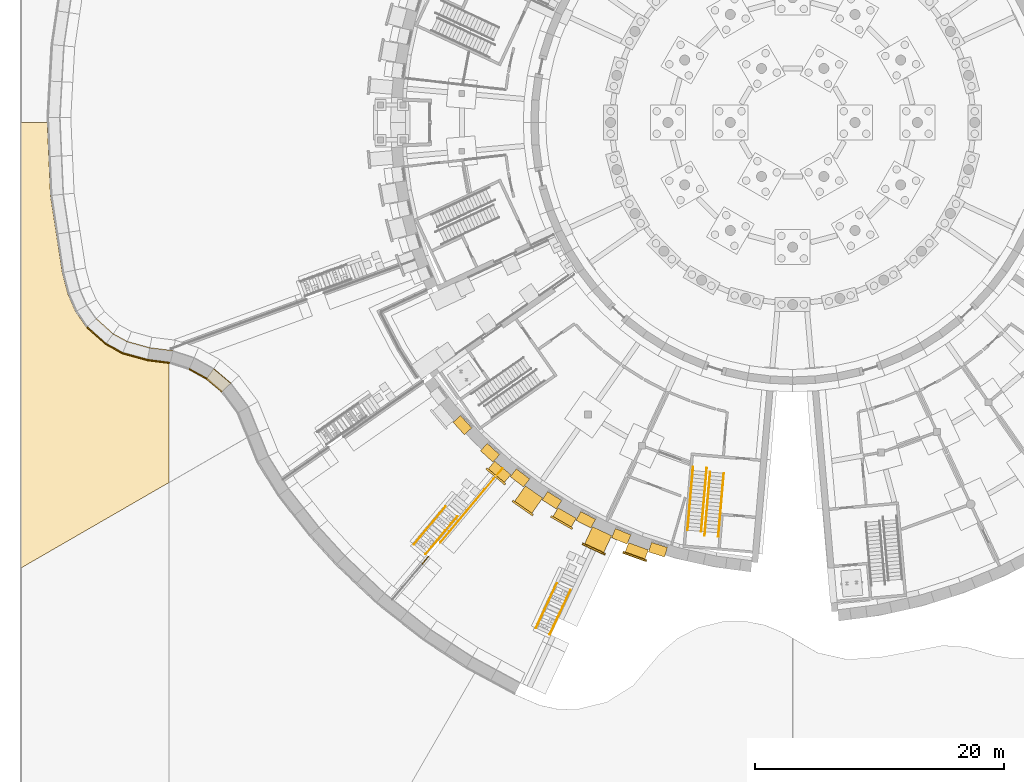
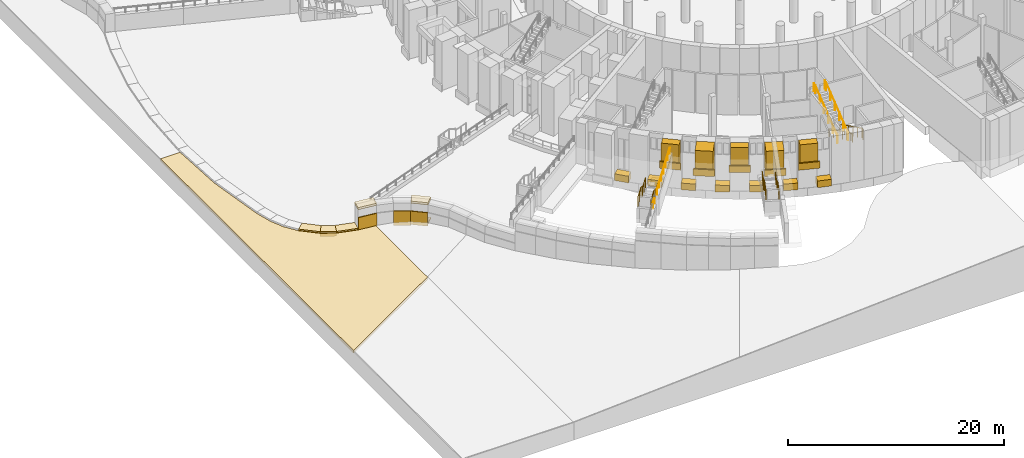
# One storey, part 53 of 65: 30 coverings, 10 railings.
"""IFC4 building model written with IfcOpenShell, lengths in metres."""

from ifc_helpers import new_model, si_unit, direction, frame, origin, origin_2d, place, context, subcontext, project, spatial, polyline, rectangle, circle, outline, extrude, material, layer, layer_set, type_object, element, save


model = new_model("IFC4")

# Units and contexts
model_context = context("Model", 3, precision=1e-05, world=origin(), true_north=direction((0.0, 1.0)))
body_context = subcontext(model_context, "Body", "Model", "MODEL_VIEW")
ifc_project = project(units=[si_unit("LENGTHUNIT", "METRE"), si_unit("AREAUNIT", "SQUARE_METRE"), si_unit("VOLUMEUNIT", "CUBIC_METRE"), si_unit("PLANEANGLEUNIT", "RADIAN"), si_unit("MASSUNIT", "GRAM", prefix="KILO")], contexts=[model_context])

# Site, building, storey
site_placement = place(None, origin())
site = spatial("IfcSite", under=ifc_project, at=site_placement, CompositionType="ELEMENT")
building_placement = place(site_placement, origin())
building = spatial("IfcBuilding", under=site, at=building_placement, Name="Volute Hill Aquarium", CompositionType="ELEMENT")
storey_placement = place(building_placement, frame((0.0, 0.0, -5.5)))
storey = spatial("IfcBuildingStorey", under=building, at=storey_placement, Name="L00", CompositionType="ELEMENT", Elevation=-5.5)

# Coverings
ifc_material_1 = material(Name="Blue limestone", Category="masonry")
covering_type_1 = type_object("IfcCoveringType", Name="Bluestone plinth block 275x750", PredefinedType="CLADDING", material=ifc_material_1)
for number, where, z_axis, x_axis, name in (
    (1, (-26.47998046875, -24.264404296875, 0.0), (0.0, 0.0, 1.0), (0.675588133266, -0.737279237596, 0.0), "Bluestone plinth BPN S2 L00 2"),
    (2, (-24.264404296875, -26.47998046875, 0.0), (0.0, 0.0, 1.0), (0.737279237596, -0.675588133266, 0.0), "Bluestone plinth BPN S2 L00 3"),
    (3, (-21.8642578125, -28.494140625, 0.0), (0.0, 0.0, 1.0), (0.793352901483, -0.608762000874, 0.0), "Bluestone plinth BPN S2 L00 4"),
    (4, (-19.297607421875, -30.291259765625, 0.0), (0.0, 0.0, 1.0), (0.843398654513, -0.537288292787, 0.0), "Bluestone plinth BPN S2 L00 5"),
    (5, (-16.584228515625, -31.85791015625, 0.0), (0.0, 0.0, 1.0), (0.887010398312, -0.461749448604, 0.0), "Bluestone plinth BPN S2 L00 6"),
    (6, (-13.744384765625, -33.18212890625, 0.0), (0.0, 0.0, 1.0), (0.923881228242, -0.382679338483, 0.0), "Bluestone plinth BPN S2 L00 7"),
    (7, (-10.800048828125, -34.253662109375, 0.0), (0.0, 0.0, 1.0), (0.953719223668, -0.300698590629, 0.0), "Bluestone plinth BPN S2 L00 8"),
):
    element("IfcCovering", number, at=place(storey_placement, frame(where, z_axis=z_axis, x_axis=x_axis)), inside=storey, type_object=covering_type_1, Name=name, PredefinedType="CLADDING", context=body_context, shape_type="SweptSolid", body=[
        extrude(rectangle(XDim=1.341064453125, YDim=0.800048828125, at=origin_2d()), origin(), (0.0, 0.0, 1.0), 0.75),
    ])
ifc_material_2 = material(Name="Blue limestone", Category="masonry")
ifc_layer_1 = layer(ifc_material_2, 0.14990234375)
ifc_layer_set_1 = layer_set([ifc_layer_1], Name="Bluestone plinth plate 150x750")
covering_type_2 = type_object("IfcCoveringType", Name="Bluestone plinth plate 150x750", PredefinedType="CLADDING", material=ifc_layer_set_1)
for number, where, z_axis, x_axis, name in (
    (8, (-23.80615234375, -28.37109375, 2.75), (0.0, 0.0, 1.0), (0.766044443119, -0.642787609687, 0.0), "Bluestone plinth BP S2 L00 3"),
    (9, (-21.644287109375, -30.911376953125, 2.75), (0.0, 0.0, 1.0), (0.819152044289, -0.573576436351, 0.0), "Bluestone plinth BP S2 L00 4"),
    (10, (-18.517822265625, -32.073974609375, 2.75), (0.0, 0.0, 1.0), (0.866025403784, -0.5, 0.0), "Bluestone plinth BP S2 L00 5"),
    (11, (-15.94775390625, -34.2001953125, 2.75), (0.0, 0.0, 1.0), (0.906307787037, -0.422618261741, 0.0), "Bluestone plinth BP S2 L00 6"),
    (12, (-12.6669921875, -34.80224609375, 2.75), (0.0, 0.0, 1.0), (0.939692620786, -0.342020143326, 0.0), "Bluestone plinth BP S2 L00 7"),
):
    element("IfcCovering", number, at=place(storey_placement, frame(where, z_axis=z_axis, x_axis=x_axis)), inside=storey, type_object=covering_type_2, Name=name, PredefinedType="CLADDING", context=body_context, shape_type="SweptSolid", body=[
        extrude(rectangle(XDim=1.98876953125, YDim=0.14990234375, at=origin_2d()), origin(), (0.0, 0.0, 1.0), 0.75),
    ])

# Railings
ifc_material_3 = material(Name="Stainless steel 1.4301", Category="steel")
railing_type_1 = type_object("IfcRailingType", Name="Guard 1100 stainless", PredefinedType="GUARDRAIL", material=ifc_material_3)
railing_1_placement = place(storey_placement, frame((-5.522216796875, -28.125732421875, 0.161865234375)))
element("IfcRailing", 13, at=railing_1_placement, inside=storey, type_object=railing_type_1, Name="gd/S2-B/L00/1", PredefinedType="GUARDRAIL", context=body_context, shape_type="SweptSolid", body=[
    extrude(circle(Radius=0.02392578125, at=origin_2d()), frame((0.0, 0.0, 1.076171875), z_axis=(-0.076734530001, -0.876850936167, 0.474599038819), x_axis=(0.996192723684, -0.087178307383, 0.0)), (0.0, 0.0, 1.0), 5.453369140625),
    extrude(circle(Radius=0.02392578125, at=origin_2d()), frame((-0.41845703125, -4.78173828125, 3.6640625), z_axis=(-0.087086179441, -0.996200781645, 0.0), x_axis=(0.996200781645, -0.087086179441, 0.0)), (0.0, 0.0, 1.0), 0.300048828125),
    extrude(circle(Radius=0.02099609375, at=origin_2d()), origin(), (0.0, 0.0, 1.0), 1.052001953125),
    extrude(circle(Radius=0.02099609375, at=origin_2d()), frame((-0.083740234375, -0.956298828125, 0.517578125)), (0.0, 0.0, 1.0), 1.052001953125),
    extrude(circle(Radius=0.02099609375, at=origin_2d()), frame((-0.16748046875, -1.91259765625, 1.03515625)), (0.0, 0.0, 1.0), 1.052001953125),
    extrude(circle(Radius=0.02099609375, at=origin_2d()), frame((-0.2509765625, -2.869140625, 1.552978515625)), (0.0, 0.0, 1.0), 1.052001953125),
    extrude(circle(Radius=0.02099609375, at=origin_2d()), frame((-0.334716796875, -3.825439453125, 2.070556640625)), (0.0, 0.0, 1.0), 1.052001953125),
    extrude(circle(Radius=0.02099609375, at=origin_2d()), frame((-0.41845703125, -4.78173828125, 2.588134765625)), (0.0, 0.0, 1.0), 1.052001953125),
    extrude(circle(Radius=0.02099609375, at=origin_2d()), frame((-0.444580078125, -5.08056640625, 2.588134765625)), (0.0, 0.0, 1.0), 1.052001953125),
])
ifc_material_4 = material(Name="Stainless steel 1.4301", Category="steel")
railing_type_2 = type_object("IfcRailingType", Name="Handrail 48 stainless", PredefinedType="HANDRAIL", material=ifc_material_4)
railing_2_placement = place(storey_placement, frame((-6.6181640625, -28.02978515625, 0.161865234375)))
element("IfcRailing", 14, at=railing_2_placement, inside=storey, type_object=railing_type_2, Name="hr/S2-B/L00/2", PredefinedType="HANDRAIL", context=body_context, shape_type="SweptSolid", body=[
    extrude(circle(Radius=0.02392578125, at=origin_2d()), frame((0.0, 0.0, 0.8759765625), z_axis=(-0.076734530001, -0.876850936167, 0.474599038819), x_axis=(0.996192723684, -0.087178307383, 0.0)), (0.0, 0.0, 1.0), 5.453369140625),
    extrude(circle(Radius=0.02392578125, at=origin_2d()), frame((-0.41845703125, -4.78173828125, 3.4638671875), z_axis=(-0.086278376837, -0.99627106838, 0.0), x_axis=(0.99627106838, -0.086278376837, 0.0)), (0.0, 0.0, 1.0), 0.300048828125),
    extrude(circle(Radius=0.02099609375, at=origin_2d()), origin(), (0.0, 0.0, 1.0), 0.851806640625),
    extrude(circle(Radius=0.02099609375, at=origin_2d()), frame((-0.083740234375, -0.956298828125, 0.517578125)), (0.0, 0.0, 1.0), 0.851806640625),
    extrude(circle(Radius=0.02099609375, at=origin_2d()), frame((-0.16748046875, -1.91259765625, 1.03515625)), (0.0, 0.0, 1.0), 0.851806640625),
    extrude(circle(Radius=0.02099609375, at=origin_2d()), frame((-0.2509765625, -2.869140625, 1.552978515625)), (0.0, 0.0, 1.0), 0.851806640625),
    extrude(circle(Radius=0.02099609375, at=origin_2d()), frame((-0.334716796875, -3.825439453125, 2.070556640625)), (0.0, 0.0, 1.0), 0.851806640625),
    extrude(circle(Radius=0.02099609375, at=origin_2d()), frame((-0.41845703125, -4.78173828125, 2.588134765625)), (0.0, 0.0, 1.0), 0.851806640625),
    extrude(circle(Radius=0.02099609375, at=origin_2d()), frame((-0.4443359375, -5.08056640625, 2.588134765625)), (0.0, 0.0, 1.0), 0.851806640625),
])
railing_3_placement = place(storey_placement, frame((-7.33544921875, -32.785400390625, 2.911865234375)))
element("IfcRailing", 15, at=railing_3_placement, inside=storey, type_object=railing_type_2, Name="hr/S2-B/L00/3", PredefinedType="HANDRAIL", context=body_context, shape_type="SweptSolid", body=[
    extrude(circle(Radius=0.02392578125, at=origin_2d()), frame((0.0, 0.0, 0.8759765625), z_axis=(0.076734530001, 0.876850936167, 0.474599038819), x_axis=(-0.996192723684, 0.087178307383, 0.0)), (0.0, 0.0, 1.0), 5.453369140625),
    extrude(circle(Radius=0.02392578125, at=origin_2d()), frame((0.41845703125, 4.78173828125, 3.4638671875), z_axis=(0.087086179441, 0.996200781645, 0.0), x_axis=(-0.996200781645, 0.087086179441, 0.0)), (0.0, 0.0, 1.0), 0.300048828125),
    extrude(circle(Radius=0.02099609375, at=origin_2d()), origin(), (0.0, 0.0, 1.0), 0.851806640625),
    extrude(circle(Radius=0.02099609375, at=origin_2d()), frame((0.083740234375, 0.956298828125, 0.517578125)), (0.0, 0.0, 1.0), 0.851806640625),
    extrude(circle(Radius=0.02099609375, at=origin_2d()), frame((0.16748046875, 1.91259765625, 1.03515625)), (0.0, 0.0, 1.0), 0.851806640625),
    extrude(circle(Radius=0.02099609375, at=origin_2d()), frame((0.2509765625, 2.869140625, 1.552978515625)), (0.0, 0.0, 1.0), 0.851806640625),
    extrude(circle(Radius=0.02099609375, at=origin_2d()), frame((0.334716796875, 3.825439453125, 2.070556640625)), (0.0, 0.0, 1.0), 0.851806640625),
    extrude(circle(Radius=0.02099609375, at=origin_2d()), frame((0.41845703125, 4.78173828125, 2.588134765625)), (0.0, 0.0, 1.0), 0.851806640625),
    extrude(circle(Radius=0.02099609375, at=origin_2d()), frame((0.444580078125, 5.08056640625, 2.588134765625)), (0.0, 0.0, 1.0), 0.851806640625),
])
railing_4_placement = place(storey_placement, frame((-8.43115234375, -32.689697265625, 2.911865234375)))
element("IfcRailing", 16, at=railing_4_placement, inside=storey, type_object=railing_type_2, Name="hr/S2-B/L00/4", PredefinedType="HANDRAIL", context=body_context, shape_type="SweptSolid", body=[
    extrude(circle(Radius=0.02392578125, at=origin_2d()), frame((0.0, 0.0, 0.8759765625), z_axis=(0.076731517812, 0.876861283189, 0.474580408592), x_axis=(-0.996193110213, 0.087173890382, 0.0)), (0.0, 0.0, 1.0), 5.45361328125),
    extrude(circle(Radius=0.02392578125, at=origin_2d()), frame((0.41845703125, 4.781982421875, 3.4638671875), z_axis=(0.086278376837, 0.99627106838, 0.0), x_axis=(-0.99627106838, 0.086278376837, 0.0)), (0.0, 0.0, 1.0), 0.300048828125),
    extrude(circle(Radius=0.02099609375, at=origin_2d()), origin(), (0.0, 0.0, 1.0), 0.851806640625),
    extrude(circle(Radius=0.02099609375, at=origin_2d()), frame((0.083740234375, 0.956298828125, 0.517578125)), (0.0, 0.0, 1.0), 0.851806640625),
    extrude(circle(Radius=0.02099609375, at=origin_2d()), frame((0.16748046875, 1.912841796875, 1.03515625)), (0.0, 0.0, 1.0), 0.851806640625),
    extrude(circle(Radius=0.02099609375, at=origin_2d()), frame((0.2509765625, 2.869140625, 1.552978515625)), (0.0, 0.0, 1.0), 0.851806640625),
    extrude(circle(Radius=0.02099609375, at=origin_2d()), frame((0.334716796875, 3.82568359375, 2.070556640625)), (0.0, 0.0, 1.0), 0.851806640625),
    extrude(circle(Radius=0.02099609375, at=origin_2d()), frame((0.41845703125, 4.781982421875, 2.588134765625)), (0.0, 0.0, 1.0), 0.851806640625),
    extrude(circle(Radius=0.02099609375, at=origin_2d()), frame((0.4443359375, 5.080810546875, 2.588134765625)), (0.0, 0.0, 1.0), 0.851806640625),
])

# Coverings
ifc_material_5 = material(Name="Planting soil and turf")
ifc_layer_2 = layer(ifc_material_5, 0.300048828125)
ifc_layer_set_2 = layer_set([ifc_layer_2], Name="Planted ground soil and turf build-up 300")
covering_type_3 = type_object("IfcCoveringType", Name="Planted ground soil and turf build-up 300", PredefinedType="CLADDING", material=ifc_layer_set_2)
covering_1_placement = place(storey_placement, frame((-58.555419921875, -12.046142578125, 0.0), z_axis=(0.0, 0.0, 1.0), x_axis=(-0.151289072772, 0.988489563152, 0.0)))
element("IfcCovering", 17, at=covering_1_placement, inside=storey, type_object=covering_type_3, Name="tn/06/L00/0", PredefinedType="CLADDING", context=body_context, shape_type="SweptSolid", body=[
    extrude(outline(polyline([(0.0, 0.0), (6.258068255699939, 0.0), (12.090170724950333, -0.6288292871838934), (12.40593495423001, 1.4343048132515073), (-22.892264741662363, 6.8367208847911165), (-17.922010224195446, -5.912066076054266), (-8.471992081155392, -7.358398476350633), (-7.9882533941773595, -5.666255944642942), (-7.142267934074242, -3.779361255825577), (-6.210509887371499, -2.5601004358391446), (-4.619081877009699, -1.2538481475632723), (-3.238675818926014, -0.5759796880451081), (-1.744693977530818, -0.18075438087929102), (0.0, 0.0)])), origin(), (0.0, 0.0, -1.0), 0.300048828125),
])
ifc_material_6 = material(Name="Precast concrete C40/50", Category="concrete")
ifc_layer_3 = layer(ifc_material_6, 0.25)
ifc_layer_set_3 = layer_set([ifc_layer_3], Name="Plinth coping precast concrete C40/50 1000")
covering_type_4 = type_object("IfcCoveringType", Name="Plinth coping precast concrete C40/50 1000", PredefinedType="CLADDING", material=ifc_layer_set_3)
covering_2_placement = place(storey_placement, frame((0.0, 0.0, 2.22509765625)))
element("IfcCovering", 18, at=covering_2_placement, inside=storey, type_object=covering_type_4, Name="cp/E0FB1/L00/0", PredefinedType="CLADDING", context=body_context, shape_type="SweptSolid", body=[
    extrude(outline(polyline([(-51.736083984375, -19.0361328125), (-49.89990234375, -19.269775390625), (-49.68017578125, -18.28955078125), (-49.68017578125, -18.28955078125), (-51.538818359375, -18.05322265625), (-51.736083984375, -19.0361328125)])), origin(), (0.0, 0.0, 1.0), 0.25),
])
covering_3_placement = place(storey_placement, frame((0.0, 0.0, 2.22509765625)))
element("IfcCovering", 19, at=covering_3_placement, inside=storey, type_object=covering_type_4, Name="cp/E3FB1/L00/0", PredefinedType="CLADDING", context=body_context, shape_type="SweptSolid", body=[
    extrude(outline(polyline([(-46.98291015625, -20.543212890625), (-45.759521484375, -21.580078125), (-45.026123046875, -20.890625), (-46.41064453125, -19.71728515625), (-46.98291015625, -20.543212890625)])), origin(), (0.0, 0.0, 1.0), 0.25),
])
covering_4_placement = place(storey_placement, frame((0.0, 0.0, -0.10009765625)))
element("IfcCovering", 20, at=covering_4_placement, inside=storey, type_object=covering_type_4, Name="cp/E102LC/L00/0", PredefinedType="CLADDING", context=body_context, shape_type="SweptSolid", body=[
    extrude(outline(polyline([(-56.57958984375, -16.38916015625), (-55.05615234375, -17.7568359375), (-54.474365234375, -16.93505859375), (-55.8251953125, -15.722412109375), (-56.57958984375, -16.38916015625)])), origin(), (0.0, 0.0, 1.0), 0.25),
])
covering_5_placement = place(storey_placement, frame((0.0, 0.0, -0.10009765625)))
element("IfcCovering", 21, at=covering_5_placement, inside=storey, type_object=covering_type_4, Name="cp/E103LC/L00/0", PredefinedType="CLADDING", context=body_context, shape_type="SweptSolid", body=[
    extrude(outline(polyline([(-55.05615234375, -17.7568359375), (-53.719970703125, -18.48779296875), (-53.341796875, -17.5546875), (-53.341796875, -17.5546875), (-54.474365234375, -16.93505859375), (-54.474365234375, -16.93505859375), (-55.05615234375, -17.7568359375), (-55.05615234375, -17.7568359375)])), origin(), (0.0, 0.0, 1.0), 0.25),
])
covering_6_placement = place(storey_placement, frame((0.0, 0.0, -0.10009765625)))
element("IfcCovering", 22, at=covering_6_placement, inside=storey, type_object=covering_type_4, Name="cp/E104LC/L00/0", PredefinedType="CLADDING", context=body_context, shape_type="SweptSolid", body=[
    extrude(outline(polyline([(-51.736083984375, -19.0361328125), (-51.736083984375, -19.0361328125), (-51.538818359375, -18.05322265625), (-51.538818359375, -18.05322265625), (-53.341796875, -17.5546875), (-53.719970703125, -18.48779296875), (-51.736083984375, -19.0361328125)])), origin(), (0.0, 0.0, 1.0), 0.25),
])
ifc_material_7 = material(Name="Precast concrete C40/50", Category="concrete")
ifc_layer_4 = layer(ifc_material_7, 0.199951171875)
ifc_layer_set_4 = layer_set([ifc_layer_4], Name="Plinth grade course precast concrete C40/50 1100")
covering_type_5 = type_object("IfcCoveringType", Name="Plinth grade course precast concrete C40/50 1100", PredefinedType="CLADDING", material=ifc_layer_set_4)
covering_7_placement = place(storey_placement, origin())
element("IfcCovering", 23, at=covering_7_placement, inside=storey, type_object=covering_type_5, Name="gc/E3FB1/L00/0", PredefinedType="CLADDING", context=body_context, shape_type="SweptSolid", body=[
    extrude(outline(polyline([(-47.011474609375, -20.584716796875), (-45.796142578125, -21.614501953125), (-45.062744140625, -20.925048828125), (-46.439208984375, -19.7587890625), (-47.011474609375, -20.584716796875)])), origin(), (0.0, 0.0, 1.0), 0.199951171875),
])
ifc_material_8 = material(Name="Precast concrete C40/50", Category="concrete")
covering_type_6 = type_object("IfcCoveringType", Name="Projecting pier precast concrete C40/50 1689x1500", PredefinedType="CLADDING", material=ifc_material_8)
for number, where, z_axis, x_axis, name in (
    (24, (-21.171142578125, -30.235595703125, 2.75), (0.0, 0.0, 1.0), (0.819152044289, -0.573576436351, 0.0), "Projecting pier PP S2 L00 4"),
    (25, (-15.59912109375, -33.452392578125, 2.75), (0.0, 0.0, 1.0), (0.906307787037, -0.422618261741, 0.0), "Projecting pier PP S2 L00 6"),
):
    element("IfcCovering", number, at=place(storey_placement, frame(where, z_axis=z_axis, x_axis=x_axis)), inside=storey, type_object=covering_type_6, Name=name, PredefinedType="CLADDING", context=body_context, shape_type="SweptSolid", body=[
        extrude(rectangle(XDim=1.688720703125, YDim=1.5, at=origin_2d()), origin(), (0.0, 0.0, 1.0), 2.75),
    ])
ifc_material_9 = material(Name="Precast concrete C40/50", Category="concrete")
covering_type_7 = type_object("IfcCoveringType", Name="Projecting pier precast concrete C40/50 1689x800", PredefinedType="CLADDING", material=ifc_material_9)
for number, where, z_axis, x_axis, name in (
    (26, (-23.5009765625, -28.007080078125, 2.75), (0.0, 0.0, 1.0), (0.766044443119, -0.642787609687, 0.0), "Projecting pier PP S2 L00 3"),
    (27, (-18.280517578125, -31.66259765625, 2.75), (0.0, 0.0, 1.0), (0.866025403784, -0.5, 0.0), "Projecting pier PP S2 L00 5"),
    (28, (-12.50439453125, -34.35595703125, 2.75), (0.0, 0.0, 1.0), (0.939692620786, -0.342020143326, 0.0), "Projecting pier PP S2 L00 7"),
):
    element("IfcCovering", number, at=place(storey_placement, frame(where, z_axis=z_axis, x_axis=x_axis)), inside=storey, type_object=covering_type_7, Name=name, PredefinedType="CLADDING", context=body_context, shape_type="SweptSolid", body=[
        extrude(rectangle(XDim=1.688720703125, YDim=0.800048828125, at=origin_2d()), origin(), (0.0, 0.0, 1.0), 2.75),
    ])
ifc_material_10 = material(Name="Precast concrete C40/50", Category="concrete")
ifc_layer_5 = layer(ifc_material_10, 0.10009765625)
ifc_layer_set_5 = layer_set([ifc_layer_5], Name="Retained ground face precast concrete C40/50 100")
covering_type_8 = type_object("IfcCoveringType", Name="Retained ground face precast concrete C40/50 100", PredefinedType="CLADDING", material=ifc_layer_set_5)
covering_8_placement = place(storey_placement, frame((0.0, 0.0, -0.35009765625)))
element("IfcCovering", 29, at=covering_8_placement, inside=storey, type_object=covering_type_8, Name="tg/E0FB1/L00/0", PredefinedType="CLADDING", context=body_context, shape_type="SweptSolid", body=[
    extrude(outline(polyline([(-49.910888671875, -19.318603515625), (-49.910888671875, -19.318603515625), (-49.888916015625, -19.220703125), (-51.726318359375, -18.987060546875), (-51.726318359375, -18.987060546875), (-51.745849609375, -19.085205078125), (-49.910888671875, -19.318603515625)])), origin(), (0.0, 0.0, 1.0), 1.72509765625),
])
covering_9_placement = place(storey_placement, frame((0.0, 0.0, -0.23486328125)))
element("IfcCovering", 30, at=covering_9_placement, inside=storey, type_object=covering_type_8, Name="tg/E2FB1/L00/0", PredefinedType="CLADDING", context=body_context, shape_type="SweptSolid", body=[
    extrude(outline(polyline([(-47.011474609375, -20.584716796875), (-47.011474609375, -20.584716796875), (-46.9541015625, -20.501953125), (-46.9541015625, -20.501953125), (-48.359619140625, -19.71826171875), (-48.399658203125, -19.810302734375), (-48.399658203125, -19.810302734375), (-47.011474609375, -20.584716796875)])), origin(), (0.0, 0.0, 1.0), 1.60986328125),
])
covering_10_placement = place(storey_placement, frame((0.0, 0.0, -0.14111328125)))
element("IfcCovering", 31, at=covering_10_placement, inside=storey, type_object=covering_type_8, Name="tg/E3FB1/L00/0", PredefinedType="CLADDING", context=body_context, shape_type="SweptSolid", body=[
    extrude(outline(polyline([(-47.011474609375, -20.584716796875), (-45.796142578125, -21.614501953125), (-45.72265625, -21.54541015625), (-46.9541015625, -20.501953125), (-47.011474609375, -20.584716796875)])), origin(), (0.0, 0.0, 1.0), 1.51611328125),
])
covering_11_placement = place(storey_placement, frame((0.0, 0.0, -0.35009765625)))
element("IfcCovering", 32, at=covering_11_placement, inside=storey, type_object=covering_type_8, Name="tg/E102LC/L00/0", PredefinedType="CLADDING", context=body_context, shape_type="SweptSolid", body=[
    extrude(outline(polyline([(-56.6171875, -16.42236328125), (-55.085205078125, -17.7978515625), (-55.027099609375, -17.715576171875), (-56.541748046875, -16.355712890625), (-56.6171875, -16.42236328125)])), origin(), (0.0, 0.0, 1.0), 0.35009765625),
])
covering_12_placement = place(storey_placement, frame((0.0, 0.0, -0.35009765625)))
element("IfcCovering", 33, at=covering_12_placement, inside=storey, type_object=covering_type_8, Name="tg/E103LC/L00/0", PredefinedType="CLADDING", context=body_context, shape_type="SweptSolid", body=[
    extrude(outline(polyline([(-55.085205078125, -17.7978515625), (-53.739013671875, -18.534423828125), (-53.739013671875, -18.534423828125), (-53.701171875, -18.441162109375), (-53.701171875, -18.441162109375), (-55.027099609375, -17.715576171875), (-55.027099609375, -17.715576171875), (-55.085205078125, -17.7978515625), (-55.085205078125, -17.7978515625)])), origin(), (0.0, 0.0, 1.0), 0.35009765625),
])
covering_13_placement = place(storey_placement, frame((0.0, 0.0, -0.35009765625)))
element("IfcCovering", 34, at=covering_13_placement, inside=storey, type_object=covering_type_8, Name="tg/E104LC/L00/0", PredefinedType="CLADDING", context=body_context, shape_type="SweptSolid", body=[
    extrude(outline(polyline([(-51.745849609375, -19.085205078125), (-51.745849609375, -19.085205078125), (-51.726318359375, -18.987060546875), (-53.701171875, -18.441162109375), (-53.739013671875, -18.534423828125), (-51.745849609375, -19.085205078125)])), origin(), (0.0, 0.0, 1.0), 0.35009765625),
])

# Railings
ifc_material_11 = material(Name="Steel S355", Category="steel")
railing_type_3 = type_object("IfcRailingType", Name="Site guard 1100", PredefinedType="GUARDRAIL", material=ifc_material_11)
railing_5_placement = place(storey_placement, frame((-27.8310546875, -30.79541015625, 3.513916015625)))
element("IfcRailing", 35, at=railing_5_placement, inside=storey, type_object=railing_type_3, Name="gd/ST230/L00/1", PredefinedType="GUARDRAIL", context=body_context, shape_type="SweptSolid", body=[
    extrude(circle(Radius=0.02392578125, at=origin_2d()), frame((0.0, 0.0, 1.076171875), z_axis=(-0.642806440183, -0.766028642062, 0.0), x_axis=(0.766028642062, -0.642806440183, 0.0)), (0.0, 0.0, 1.0), 1.499755859375),
    extrude(circle(Radius=0.02392578125, at=origin_2d()), frame((-0.964111328125, -1.14892578125, 1.076171875), z_axis=(0.0, 0.0, 1.0), x_axis=(1.0, 0.0, 0.0)), (0.0, 0.0, 1.0), 0.15283203125),
    extrude(circle(Radius=0.02392578125, at=origin_2d()), frame((-0.964111328125, -1.14892578125, 1.22900390625), z_axis=(-0.580175893043, -0.691253872566, 0.430771420586), x_axis=(0.765965309087, -0.642881906166, 0.0)), (0.0, 0.0, 1.0), 1.063720703125),
    extrude(circle(Radius=0.02392578125, at=origin_2d()), frame((-1.581298828125, -1.88427734375, 1.68701171875), z_axis=(-0.64272629393, -0.766095888966, 0.0), x_axis=(0.766095888966, -0.64272629393, 0.0)), (0.0, 0.0, 1.0), 1.5),
    extrude(circle(Radius=0.02099609375, at=origin_2d()), origin(), (0.0, 0.0, 1.0), 1.052001953125),
    extrude(circle(Radius=0.02099609375, at=origin_2d()), frame((-0.48193359375, -0.574462890625, 0.0)), (0.0, 0.0, 1.0), 1.052001953125),
    extrude(circle(Radius=0.02099609375, at=origin_2d()), frame((-0.964111328125, -1.14892578125, 0.0)), (0.0, 0.0, 1.0), 1.052001953125),
    extrude(circle(Radius=0.02099609375, at=origin_2d()), frame((-0.964111328125, -1.14892578125, 0.15283203125)), (0.0, 0.0, 1.0), 1.052001953125),
    extrude(circle(Radius=0.02099609375, at=origin_2d()), frame((-1.581298828125, -1.88427734375, 0.611083984375)), (0.0, 0.0, 1.0), 1.052001953125),
    extrude(circle(Radius=0.02099609375, at=origin_2d()), frame((-2.0634765625, -2.458984375, 0.611083984375)), (0.0, 0.0, 1.0), 1.052001953125),
    extrude(circle(Radius=0.02099609375, at=origin_2d()), frame((-2.54541015625, -3.033447265625, 0.611083984375)), (0.0, 0.0, 1.0), 1.052001953125),
])
railing_6_placement = place(storey_placement, frame((-23.268798828125, -27.730712890625, 4.574951171875)))
element("IfcRailing", 36, at=railing_6_placement, inside=storey, type_object=railing_type_3, Name="gd/RW230/L00/0", PredefinedType="GUARDRAIL", context=body_context, shape_type="SweptSolid", body=[
    extrude(circle(Radius=0.02392578125, at=origin_2d()), frame((0.0, 0.0, 0.6259765625), z_axis=(-0.642799203324, -0.766034714752, 0.0), x_axis=(0.766034714752, -0.642799203324, 0.0)), (0.0, 0.0, 1.0), 7.740234375),
    extrude(circle(Radius=0.02099609375, at=origin_2d()), origin(), (0.0, 0.0, 1.0), 0.601806640625),
    extrude(circle(Radius=0.02099609375, at=origin_2d()), frame((-0.710693359375, -0.846923828125, 0.0)), (0.0, 0.0, 1.0), 0.601806640625),
    extrude(circle(Radius=0.02099609375, at=origin_2d()), frame((-1.421630859375, -1.694091796875, 0.0)), (0.0, 0.0, 1.0), 0.601806640625),
    extrude(circle(Radius=0.02099609375, at=origin_2d()), frame((-2.13232421875, -2.541015625, 0.0)), (0.0, 0.0, 1.0), 0.601806640625),
    extrude(circle(Radius=0.02099609375, at=origin_2d()), frame((-2.843017578125, -3.38818359375, 0.0)), (0.0, 0.0, 1.0), 0.601806640625),
    extrude(circle(Radius=0.02099609375, at=origin_2d()), frame((-3.5537109375, -4.235107421875, 0.0)), (0.0, 0.0, 1.0), 0.601806640625),
    extrude(circle(Radius=0.02099609375, at=origin_2d()), frame((-4.2646484375, -5.082275390625, 0.0)), (0.0, 0.0, 1.0), 0.601806640625),
    extrude(circle(Radius=0.02099609375, at=origin_2d()), frame((-4.975341796875, -5.92919921875, 0.0)), (0.0, 0.0, 1.0), 0.601806640625),
])
railing_7_placement = place(storey_placement, frame((-29.208251953125, -34.80908203125, 4.574951171875)))
element("IfcRailing", 37, at=railing_7_placement, inside=storey, type_object=railing_type_3, Name="gd/RW230/L00/1", PredefinedType="GUARDRAIL", context=body_context, shape_type="SweptSolid", body=[
    extrude(circle(Radius=0.02392578125, at=origin_2d()), frame((0.0, 0.0, 0.6259765625), z_axis=(-0.642739991173, -0.766084397275, 0.0), x_axis=(0.766084397275, -0.642739991173, 0.0)), (0.0, 0.0, 1.0), 0.760009765625),
    extrude(circle(Radius=0.02099609375, at=origin_2d()), origin(), (0.0, 0.0, 1.0), 0.601806640625),
    extrude(circle(Radius=0.02099609375, at=origin_2d()), frame((-0.488525390625, -0.582275390625, 0.0)), (0.0, 0.0, 1.0), 0.601806640625),
])
railing_8_placement = place(storey_placement, frame((-18.912353515625, -36.94921875, 4.888916015625)))
element("IfcRailing", 38, at=railing_8_placement, inside=storey, type_object=railing_type_3, Name="gd/ST245/L00/1", PredefinedType="GUARDRAIL", context=body_context, shape_type="SweptSolid", body=[
    extrude(circle(Radius=0.02392578125, at=origin_2d()), frame((0.0, 0.0, 1.076171875), z_axis=(-0.422698337017, -0.906270443015, 0.0), x_axis=(0.906270443015, -0.422698337017, 0.0)), (0.0, 0.0, 1.0), 1.5),
    extrude(circle(Radius=0.02392578125, at=origin_2d()), frame((-0.634033203125, -1.359375, 1.076171875), z_axis=(0.0, 0.0, 1.0), x_axis=(1.0, 0.0, 0.0)), (0.0, 0.0, 1.0), 0.15283203125),
    extrude(circle(Radius=0.02392578125, at=origin_2d()), frame((-0.634033203125, -1.359375, 1.22900390625), z_axis=(-0.38121861557, -0.817979016191, 0.4307931014), x_axis=(0.906397432215, -0.422425963779, 0.0)), (0.0, 0.0, 1.0), 1.063720703125),
    extrude(circle(Radius=0.02392578125, at=origin_2d()), frame((-1.03955078125, -2.2294921875, 1.68701171875), z_axis=(-0.422698337017, -0.906270443015, 0.0), x_axis=(0.906270443015, -0.422698337017, 0.0)), (0.0, 0.0, 1.0), 1.5),
    extrude(circle(Radius=0.02099609375, at=origin_2d()), origin(), (0.0, 0.0, 1.0), 1.052001953125),
    extrude(circle(Radius=0.02099609375, at=origin_2d()), frame((-0.31689453125, -0.6796875, 0.0)), (0.0, 0.0, 1.0), 1.052001953125),
    extrude(circle(Radius=0.02099609375, at=origin_2d()), frame((-0.634033203125, -1.359375, 0.0)), (0.0, 0.0, 1.0), 1.052001953125),
    extrude(circle(Radius=0.02099609375, at=origin_2d()), frame((-0.634033203125, -1.359375, 0.15283203125)), (0.0, 0.0, 1.0), 1.052001953125),
    extrude(circle(Radius=0.02099609375, at=origin_2d()), frame((-1.03955078125, -2.2294921875, 0.611083984375)), (0.0, 0.0, 1.0), 1.052001953125),
    extrude(circle(Radius=0.02099609375, at=origin_2d()), frame((-1.3564453125, -2.9091796875, 0.611083984375)), (0.0, 0.0, 1.0), 1.052001953125),
    extrude(circle(Radius=0.02099609375, at=origin_2d()), frame((-1.673583984375, -3.5888671875, 0.611083984375)), (0.0, 0.0, 1.0), 1.052001953125),
])
ifc_material_12 = material(Name="Steel S355", Category="steel")
railing_type_4 = type_object("IfcRailingType", Name="Site handrail 900", PredefinedType="HANDRAIL", material=ifc_material_12)
railing_9_placement = place(storey_placement, frame((-26.892578125, -31.582763671875, 3.513916015625)))
element("IfcRailing", 39, at=railing_9_placement, inside=storey, type_object=railing_type_4, Name="hr/ST230/L00/1", PredefinedType="HANDRAIL", context=body_context, shape_type="SweptSolid", body=[
    extrude(circle(Radius=0.02392578125, at=origin_2d()), frame((0.0, 0.0, 0.8759765625), z_axis=(-0.642806440183, -0.766028642062, 0.0), x_axis=(0.766028642062, -0.642806440183, 0.0)), (0.0, 0.0, 1.0), 1.499755859375),
    extrude(circle(Radius=0.02392578125, at=origin_2d()), frame((-0.964111328125, -1.14892578125, 0.8759765625), z_axis=(0.0, 0.0, 1.0), x_axis=(1.0, 0.0, 0.0)), (0.0, 0.0, 1.0), 0.15283203125),
    extrude(circle(Radius=0.02392578125, at=origin_2d()), frame((-0.964111328125, -1.14892578125, 1.02880859375), z_axis=(-0.580083858978, -0.691373681606, 0.430703086749), x_axis=(0.766070381729, -0.642756695988, 0.0)), (0.0, 0.0, 1.0), 1.06396484375),
    extrude(circle(Radius=0.02392578125, at=origin_2d()), frame((-1.581298828125, -1.884521484375, 1.48681640625), z_axis=(-0.642806440183, -0.766028642062, 0.0), x_axis=(0.766028642062, -0.642806440183, 0.0)), (0.0, 0.0, 1.0), 1.499755859375),
    extrude(circle(Radius=0.02099609375, at=origin_2d()), origin(), (0.0, 0.0, 1.0), 0.851806640625),
    extrude(circle(Radius=0.02099609375, at=origin_2d()), frame((-0.48193359375, -0.574462890625, 0.0)), (0.0, 0.0, 1.0), 0.851806640625),
    extrude(circle(Radius=0.02099609375, at=origin_2d()), frame((-0.964111328125, -1.14892578125, 0.0)), (0.0, 0.0, 1.0), 0.851806640625),
    extrude(circle(Radius=0.02099609375, at=origin_2d()), frame((-0.964111328125, -1.14892578125, 0.15283203125)), (0.0, 0.0, 1.0), 0.851806640625),
    extrude(circle(Radius=0.02099609375, at=origin_2d()), frame((-1.581298828125, -1.884521484375, 0.611083984375)), (0.0, 0.0, 1.0), 0.851806640625),
    extrude(circle(Radius=0.02099609375, at=origin_2d()), frame((-2.0634765625, -2.458984375, 0.611083984375)), (0.0, 0.0, 1.0), 0.851806640625),
    extrude(circle(Radius=0.02099609375, at=origin_2d()), frame((-2.54541015625, -3.033447265625, 0.611083984375)), (0.0, 0.0, 1.0), 0.851806640625),
])
railing_10_placement = place(storey_placement, frame((-17.802001953125, -37.466796875, 4.888916015625)))
element("IfcRailing", 40, at=railing_10_placement, inside=storey, type_object=railing_type_4, Name="hr/ST245/L00/1", PredefinedType="HANDRAIL", context=body_context, shape_type="SweptSolid", body=[
    extrude(circle(Radius=0.02392578125, at=origin_2d()), frame((0.0, 0.0, 0.8759765625), z_axis=(-0.422635993707, -0.906299518274, 0.0), x_axis=(0.906299518274, -0.422635993707, 0.0)), (0.0, 0.0, 1.0), 1.500244140625),
    extrude(circle(Radius=0.02392578125, at=origin_2d()), frame((-0.634033203125, -1.359619140625, 0.8759765625), z_axis=(0.0, 0.0, 1.0), x_axis=(1.0, 0.0, 0.0)), (0.0, 0.0, 1.0), 0.15283203125),
    extrude(circle(Radius=0.02392578125, at=origin_2d()), frame((-0.634033203125, -1.359619140625, 1.02880859375), z_axis=(-0.381486349677, -0.81783144639, 0.430836268559), x_axis=(0.906254605409, -0.422732291381, 0.0)), (0.0, 0.0, 1.0), 1.063720703125),
    extrude(circle(Radius=0.02392578125, at=origin_2d()), frame((-1.039794921875, -2.2294921875, 1.48681640625), z_axis=(-0.422502308661, -0.906361847816, 0.0), x_axis=(0.906361847816, -0.422502308661, 0.0)), (0.0, 0.0, 1.0), 1.5),
    extrude(circle(Radius=0.02099609375, at=origin_2d()), origin(), (0.0, 0.0, 1.0), 0.851806640625),
    extrude(circle(Radius=0.02099609375, at=origin_2d()), frame((-0.31689453125, -0.6796875, 0.0)), (0.0, 0.0, 1.0), 0.851806640625),
    extrude(circle(Radius=0.02099609375, at=origin_2d()), frame((-0.634033203125, -1.359619140625, 0.0)), (0.0, 0.0, 1.0), 0.851806640625),
    extrude(circle(Radius=0.02099609375, at=origin_2d()), frame((-0.634033203125, -1.359619140625, 0.15283203125)), (0.0, 0.0, 1.0), 0.851806640625),
    extrude(circle(Radius=0.02099609375, at=origin_2d()), frame((-1.039794921875, -2.2294921875, 0.611083984375)), (0.0, 0.0, 1.0), 0.851806640625),
    extrude(circle(Radius=0.02099609375, at=origin_2d()), frame((-1.356689453125, -2.9091796875, 0.611083984375)), (0.0, 0.0, 1.0), 0.851806640625),
    extrude(circle(Radius=0.02099609375, at=origin_2d()), frame((-1.673583984375, -3.589111328125, 0.611083984375)), (0.0, 0.0, 1.0), 0.851806640625),
])

save(model, "model.ifc")
